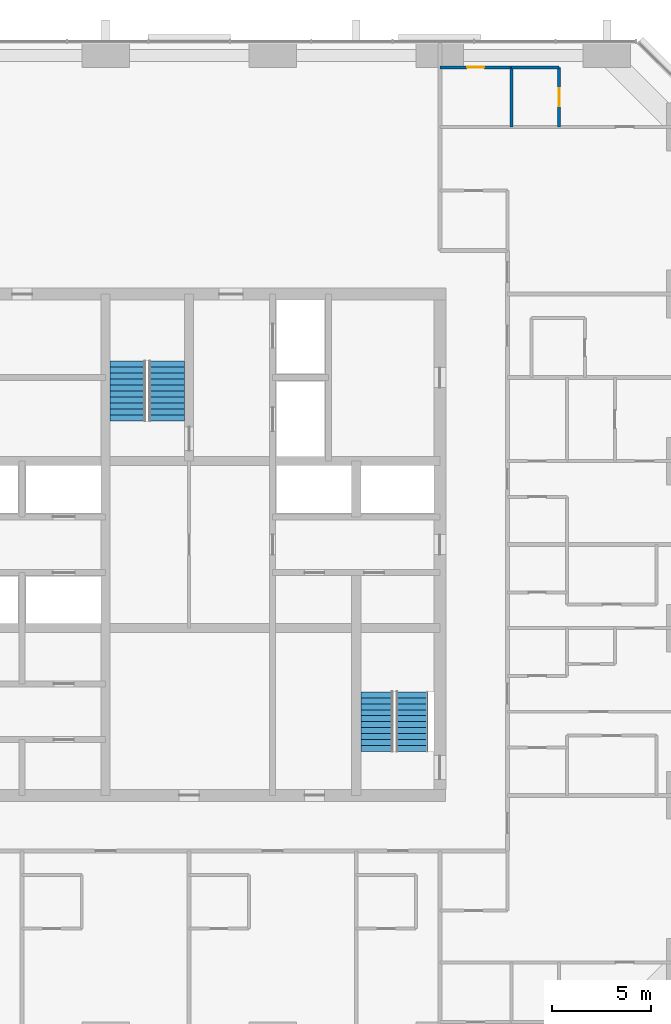
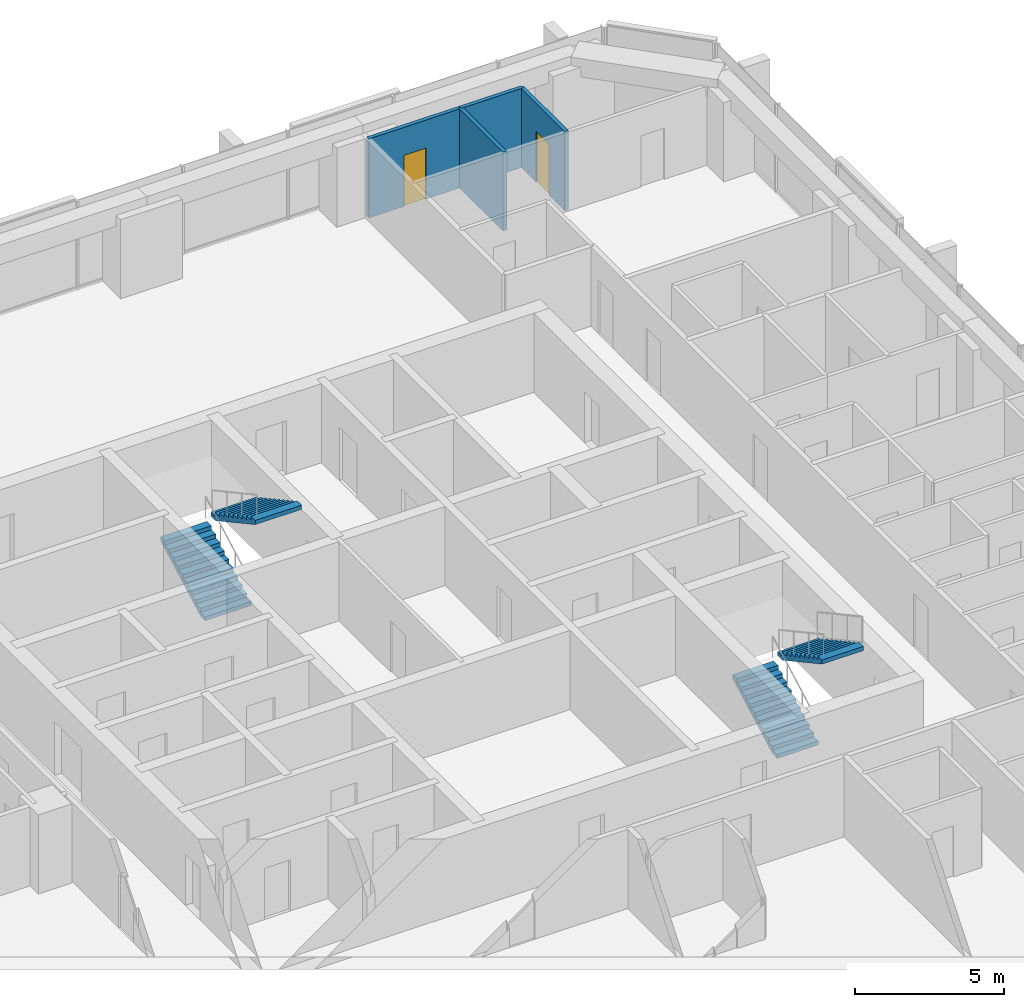
# One storey, part 12 of 13: 4 stair flights, 4 walls, 2 doors, 2 openings, 2 elements without a shape of their own.
"""IFC4 building model written with IfcOpenShell, lengths in metres."""

from ifc_helpers import new_model, si_unit, direction, frame, frame_2d, origin, place, context, subcontext, project, spatial, polyline, rectangle, outline, extrude, material, layer, layer_set, type_object, element, fill, aggregate, save


model = new_model("IFC4")

# Units and contexts
model_context = context("Model", 3, precision=1e-05, world=origin(), true_north=direction((0.0, 1.0)))
body_context = subcontext(model_context, "Body", "Model", "MODEL_VIEW")
ifc_project = project(units=[si_unit("LENGTHUNIT", "METRE"), si_unit("AREAUNIT", "SQUARE_METRE"), si_unit("VOLUMEUNIT", "CUBIC_METRE"), si_unit("PLANEANGLEUNIT", "RADIAN"), si_unit("MASSUNIT", "GRAM", prefix="KILO")], contexts=[model_context])

# Site, building, storey
site_placement = place(None, origin())
site = spatial("IfcSite", under=ifc_project, at=site_placement, CompositionType="ELEMENT")
building_placement = place(site_placement, origin())
building = spatial("IfcBuilding", under=site, at=building_placement, Name="Dunama Terrace Hotel", CompositionType="ELEMENT")
storey_placement = place(building_placement, frame((0.0, 0.0, 195.0)))
storey = spatial("IfcBuildingStorey", under=building, at=storey_placement, Name="L50", CompositionType="ELEMENT", Elevation=195.0)

# Wall, opening, door
ifc_material_1 = material(Name="Gypsum board partition", Category="masonry")
ifc_layer_1 = layer(ifc_material_1, 0.14990234375)
ifc_layer_set_1 = layer_set([ifc_layer_1], Name="Bathroom partition 150")
wall_type_1 = type_object("IfcWallType", Name="Bathroom partition 150", PredefinedType="PARTITIONING", material=ifc_layer_set_1)
wall_1_placement = place(storey_placement, frame((42.0, 53.39990234375, 0.0), z_axis=(0.0, 0.0, 1.0), x_axis=(1.0, 0.0, 0.0)))
wall_1 = element("IfcWall", 1, at=wall_1_placement, inside=storey, type_object=wall_type_1, Name="Bathroom partition 150 L50", PredefinedType="PARTITIONING", context=body_context, shape_type="SweptSolid", body=[
    extrude(rectangle(XDim=3.60009765625, YDim=0.14990234375, at=frame_2d((1.800048828125, 0.0))), origin(), (0.0, 0.0, 1.0), 3.25),
])
opening_1_placement = place(wall_1_placement, frame((1.375, 0.0, 0.0)))
opening_1 = element("IfcOpeningElement", 2, at=opening_1_placement, cuts=wall_1, Name="Opening L48-50-052", PredefinedType="OPENING", context=body_context, shape_type="SweptSolid", body=[
    extrude(rectangle(XDim=0.85009765625, YDim=2.10009765625, at=frame_2d((0.425048828125, 1.050048828125))), frame((0.0, 0.0849609375, 0.0), z_axis=(0.0, -1.0, 0.0), x_axis=(1.0, 0.0, 0.0)), (0.0, 0.0, 1.0), 0.169921875),
])
ifc_material_2 = material(Name="Timber door with steel frame", Category="steel")
door_type_1 = type_object("IfcDoorType", Name="Bathroom door 850", OperationType="SINGLE_SWING_LEFT", PredefinedType="DOOR", material=ifc_material_2)
door_1_placement = place(opening_1_placement, frame((0.85009765625, 0.0, 0.0), z_axis=(0.0, 0.0, 1.0), x_axis=(-1.0, 0.0, 0.0)))
door_1 = element("IfcDoor", 3, at=door_1_placement, inside=storey, type_object=door_type_1, Name="Door to en-suite bathroom L48-50-052, type D2", OperationType="SINGLE_SWING_RIGHT", OverallHeight=2.10009765625, OverallWidth=0.85009765625, PredefinedType="DOOR", context=body_context, shape_type="SweptSolid", body=[
    extrude(rectangle(XDim=0.85009765625, YDim=2.10009765625, at=frame_2d((0.425048828125, 1.050048828125))), frame((0.0, 0.025146484375, 0.0), z_axis=(0.0, -1.0, 0.0), x_axis=(1.0, 0.0, 0.0)), (0.0, 0.0, 1.0), 0.050048828125),
])
fill(opening_1, door_1)

# Wall
ifc_material_3 = material(Name="Gypsum board partition", Category="masonry")
ifc_layer_2 = layer(ifc_material_3, 0.14990234375)
ifc_layer_set_2 = layer_set([ifc_layer_2], Name="Room partition 150")
wall_type_2 = type_object("IfcWallType", Name="Room partition 150", PredefinedType="PARTITIONING", material=ifc_layer_set_2)
wall_2_placement = place(storey_placement, frame((45.60009765625, 50.39990234375, 0.0), z_axis=(0.0, 0.0, 1.0), x_axis=(0.0, 1.0, 0.0)))
element("IfcWall", 4, at=wall_2_placement, inside=storey, type_object=wall_type_2, Name="Room partition 150 L50", PredefinedType="PARTITIONING", context=body_context, shape_type="SweptSolid", body=[
    extrude(rectangle(XDim=3.0, YDim=0.14990234375, at=frame_2d((1.5, 0.0))), origin(), (0.0, 0.0, 1.0), 3.25),
])

# Wall, opening, door
wall_3_placement = place(storey_placement, frame((48.0, 50.39990234375, 0.0), z_axis=(0.0, 0.0, 1.0), x_axis=(0.0, 1.0, 0.0)))
wall_3 = element("IfcWall", 5, at=wall_3_placement, inside=storey, type_object=wall_type_2, Name="Room partition 150 L50", PredefinedType="PARTITIONING", context=body_context, shape_type="SweptSolid", body=[
    extrude(rectangle(XDim=3.0, YDim=0.14990234375, at=frame_2d((1.5, 0.0))), origin(), (0.0, 0.0, 1.0), 3.25),
])
opening_2_placement = place(wall_3_placement, frame((1.050048828125, 0.0, 0.0)))
opening_2 = element("IfcOpeningElement", 6, at=opening_2_placement, cuts=wall_3, Name="Opening L48-50-053", PredefinedType="OPENING", context=body_context, shape_type="SweptSolid", body=[
    extrude(rectangle(XDim=0.89990234375, YDim=2.10009765625, at=frame_2d((0.449951171875, 1.050048828125))), frame((0.0, 0.0849609375, 0.0), z_axis=(0.0, -1.0, 0.0), x_axis=(1.0, 0.0, 0.0)), (0.0, 0.0, 1.0), 0.169921875),
])
ifc_material_4 = material(Name="Timber door with steel frame", Category="steel")
door_type_2 = type_object("IfcDoorType", Name="Suite internal door 900", OperationType="SINGLE_SWING_LEFT", PredefinedType="DOOR", material=ifc_material_4)
door_2_placement = place(opening_2_placement, origin())
door_2 = element("IfcDoor", 7, at=door_2_placement, inside=storey, type_object=door_type_2, Name="Door to dressing room L48-50-053, type D16", OperationType="SINGLE_SWING_LEFT", OverallHeight=2.10009765625, OverallWidth=0.89990234375, PredefinedType="DOOR", context=body_context, shape_type="SweptSolid", body=[
    extrude(rectangle(XDim=0.89990234375, YDim=2.10009765625, at=frame_2d((0.449951171875, 1.050048828125))), frame((0.0, 0.02490234375, 0.0), z_axis=(0.0, -1.0, 0.0), x_axis=(1.0, 0.0, 0.0)), (0.0, 0.0, 1.0), 0.050048828125),
])
fill(opening_2, door_2)

# Wall
wall_4_placement = place(storey_placement, frame((45.60009765625, 53.39990234375, 0.0), z_axis=(0.0, 0.0, 1.0), x_axis=(1.0, 0.0, 0.0)))
element("IfcWall", 8, at=wall_4_placement, inside=storey, type_object=wall_type_2, Name="Room partition 150 L50", PredefinedType="PARTITIONING", context=body_context, shape_type="SweptSolid", body=[
    extrude(rectangle(XDim=2.39990234375, YDim=0.14990234375, at=frame_2d((1.199951171875, 0.0))), origin(), (0.0, 0.0, 1.0), 3.25),
])

# Stair, stair flights
ifc_material_5 = material(Name="Concrete C40/50", Category="concrete")
stair_type_1 = type_object("IfcStairType", Name="Stair ST1-3600-1800", PredefinedType="HALF_TURN_STAIR", material=ifc_material_5)
stair_1_placement = place(storey_placement, origin())
stair_1 = element("IfcStair", 9, at=stair_1_placement, inside=storey, type_object=stair_type_1, Name="Stair ST1 L50", PredefinedType="HALF_TURN_STAIR")
ifc_material_6 = material(Name="Concrete C40/50", Category="concrete")
stair_flight_type_1 = type_object("IfcStairFlightType", Name="Stair flight ST1-3600-1800", PredefinedType="STRAIGHT", material=ifc_material_6)
stair_flight_1_placement = place(storey_placement, frame((26.324951171875, 35.625, 0.0), z_axis=(0.0, 0.0, 1.0), x_axis=(0.0, 1.0, 0.0)))
stair_flight_1 = element("IfcStairFlight", 10, at=stair_flight_1_placement, type_object=stair_flight_type_1, Name="ST1 flight 1", NumberOfRisers=11, NumberOfTreads=10, PredefinedType="STRAIGHT", RiserHeight=0.163636364, TreadLength=0.3, context=body_context, shape_type="SweptSolid", body=[
    extrude(outline(polyline([(0.0, 0.0), (0.0, 0.16357421875), (0.300048828125, 0.16357421875), (0.300048828125, 0.327392578125), (0.60009765625, 0.327392578125), (0.60009765625, 0.490966796875), (0.89990234375, 0.490966796875), (0.89990234375, 0.654541015625), (1.199951171875, 0.654541015625), (1.199951171875, 0.818115234375), (1.5, 0.818115234375), (1.5, 0.98193359375), (1.800048828125, 0.98193359375), (1.800048828125, 1.1455078125), (2.10009765625, 1.1455078125), (2.10009765625, 1.30908203125), (2.39990234375, 1.30908203125), (2.39990234375, 1.47265625), (2.699951171875, 1.47265625), (2.699951171875, 1.636474609375), (3.0, 1.636474609375), (3.0, 1.800048828125), (3.0, 1.465576171875), (0.31298828125, 0.0), (0.0, 0.0)])), frame((0.0, 0.89990234375, 0.0), z_axis=(0.0, -1.0, 0.0), x_axis=(1.0, 0.0, 0.0)), (0.0, 0.0, 1.0), 1.800048828125),
])
stair_flight_2_placement = place(storey_placement, frame((28.27490234375, 38.625, 1.800048828125), z_axis=(0.0, 0.0, 1.0), x_axis=(0.0, -1.0, 0.0)))
stair_flight_2 = element("IfcStairFlight", 11, at=stair_flight_2_placement, type_object=stair_flight_type_1, Name="ST1 flight 2", NumberOfRisers=11, NumberOfTreads=10, PredefinedType="STRAIGHT", RiserHeight=0.163636364, TreadLength=0.3, context=body_context, shape_type="SweptSolid", body=[
    extrude(outline(polyline([(0.0, 0.0), (0.0, 0.16357421875), (0.300048828125, 0.16357421875), (0.300048828125, 0.327392578125), (0.60009765625, 0.327392578125), (0.60009765625, 0.490966796875), (0.89990234375, 0.490966796875), (0.89990234375, 0.654541015625), (1.199951171875, 0.654541015625), (1.199951171875, 0.818115234375), (1.5, 0.818115234375), (1.5, 0.98193359375), (1.800048828125, 0.98193359375), (1.800048828125, 1.1455078125), (2.10009765625, 1.1455078125), (2.10009765625, 1.30908203125), (2.39990234375, 1.30908203125), (2.39990234375, 1.47265625), (2.699951171875, 1.47265625), (2.699951171875, 1.636474609375), (3.0, 1.636474609375), (3.0, 1.800048828125), (3.0, 1.465576171875), (0.31298828125, 0.0), (0.0, 0.0)])), frame((0.0, 0.89990234375, 0.0), z_axis=(0.0, -1.0, 0.0), x_axis=(1.0, 0.0, 0.0)), (0.0, 0.0, 1.0), 1.800048828125),
])
aggregate(stair_1, [stair_flight_1, stair_flight_2])

ifc_material_7 = material(Name="Concrete C40/50", Category="concrete")
stair_type_2 = type_object("IfcStairType", Name="Stair ST2-3600-1600", PredefinedType="HALF_TURN_STAIR", material=ifc_material_7)
stair_2_placement = place(storey_placement, origin())
stair_2 = element("IfcStair", 12, at=stair_2_placement, inside=storey, type_object=stair_type_2, Name="Stair ST2 L50", PredefinedType="HALF_TURN_STAIR")
ifc_material_8 = material(Name="Concrete C40/50", Category="concrete")
stair_flight_type_2 = type_object("IfcStairFlightType", Name="Stair flight ST2-3600-1600", PredefinedType="STRAIGHT", material=ifc_material_8)
stair_flight_3_placement = place(storey_placement, frame((38.85009765625, 19.0, 0.0), z_axis=(0.0, 0.0, 1.0), x_axis=(0.0, 1.0, 0.0)))
stair_flight_3 = element("IfcStairFlight", 13, at=stair_flight_3_placement, type_object=stair_flight_type_2, Name="ST2 flight 1", NumberOfRisers=11, NumberOfTreads=10, PredefinedType="STRAIGHT", RiserHeight=0.163636364, TreadLength=0.3, context=body_context, shape_type="SweptSolid", body=[
    extrude(outline(polyline([(0.0, 0.0), (0.0, 0.16357421875), (0.300048828125, 0.16357421875), (0.300048828125, 0.327392578125), (0.60009765625, 0.327392578125), (0.60009765625, 0.490966796875), (0.89990234375, 0.490966796875), (0.89990234375, 0.654541015625), (1.199951171875, 0.654541015625), (1.199951171875, 0.818115234375), (1.5, 0.818115234375), (1.5, 0.98193359375), (1.800048828125, 0.98193359375), (1.800048828125, 1.1455078125), (2.10009765625, 1.1455078125), (2.10009765625, 1.30908203125), (2.39990234375, 1.30908203125), (2.39990234375, 1.47265625), (2.699951171875, 1.47265625), (2.699951171875, 1.636474609375), (3.0, 1.636474609375), (3.0, 1.800048828125), (3.0, 1.465576171875), (0.31298828125, 0.0), (0.0, 0.0)])), frame((0.0, 0.800048828125, 0.0), z_axis=(0.0, -1.0, 0.0), x_axis=(1.0, 0.0, 0.0)), (0.0, 0.0, 1.0), 1.60009765625),
])
stair_flight_4_placement = place(storey_placement, frame((40.60009765625, 22.0, 1.800048828125), z_axis=(0.0, 0.0, 1.0), x_axis=(0.0, -1.0, 0.0)))
stair_flight_4 = element("IfcStairFlight", 14, at=stair_flight_4_placement, type_object=stair_flight_type_2, Name="ST2 flight 2", NumberOfRisers=11, NumberOfTreads=10, PredefinedType="STRAIGHT", RiserHeight=0.163636364, TreadLength=0.3, context=body_context, shape_type="SweptSolid", body=[
    extrude(outline(polyline([(0.0, 0.0), (0.0, 0.16357421875), (0.300048828125, 0.16357421875), (0.300048828125, 0.327392578125), (0.60009765625, 0.327392578125), (0.60009765625, 0.490966796875), (0.89990234375, 0.490966796875), (0.89990234375, 0.654541015625), (1.199951171875, 0.654541015625), (1.199951171875, 0.818115234375), (1.5, 0.818115234375), (1.5, 0.98193359375), (1.800048828125, 0.98193359375), (1.800048828125, 1.1455078125), (2.10009765625, 1.1455078125), (2.10009765625, 1.30908203125), (2.39990234375, 1.30908203125), (2.39990234375, 1.47265625), (2.699951171875, 1.47265625), (2.699951171875, 1.636474609375), (3.0, 1.636474609375), (3.0, 1.800048828125), (3.0, 1.465576171875), (0.31298828125, 0.0), (0.0, 0.0)])), frame((0.0, 0.800048828125, 0.0), z_axis=(0.0, -1.0, 0.0), x_axis=(1.0, 0.0, 0.0)), (0.0, 0.0, 1.0), 1.60009765625),
])
aggregate(stair_2, [stair_flight_3, stair_flight_4])

save(model, "model.ifc")
